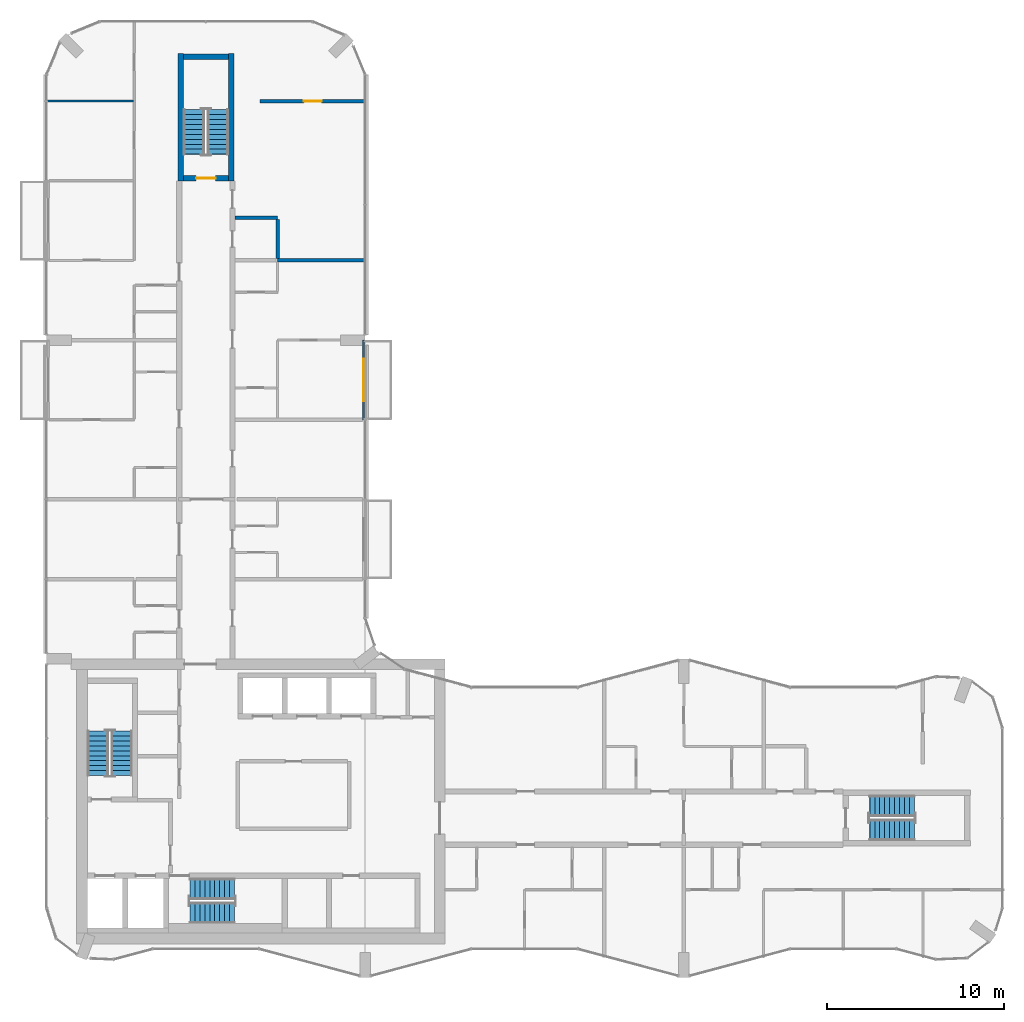
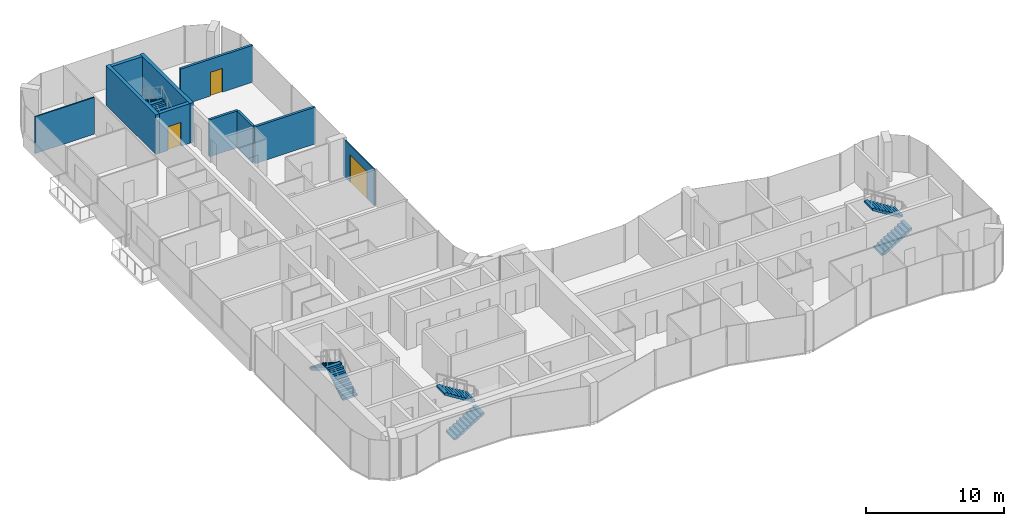
# One storey, part 13 of 15: 10 walls, 8 stair flights, 3 doors, 3 openings, 4 elements without a shape of their own.
"""IFC4 building model written with IfcOpenShell, lengths in metres."""

import ifcopenshell
import ifcopenshell.guid

model = None  # the IFC model being written
_history = None  # IfcOwnerHistory: only IFC2X3 demands one
_inside = {}  # id of a spatial element -> (the spatial element, [elements in it])
_under = {}  # id of a project, library or spatial element -> (it, [spatial elements below it])
_declared = {}  # id of a project -> (the project, [libraries it declares])
_typed = {}  # id of a type object -> (the type object, [elements of that type])
_made_of = {}  # id of a material, layer set ... -> (it, [elements and type objects made of it])


def new_model(schema):
    """Start an empty IFC model of exactly this schema.

    Asked for "IFC4X3", IfcOpenShell would pick the latest addendum, in which some entities
    have other attributes; the version numbers below select the first issue.
    IFC2X3 requires an IfcOwnerHistory on every rooted entity: one is made here for all.
    """
    global model, _history
    if schema == "IFC4X3":
        model = ifcopenshell.file(schema_version=(4, 3, 0, 0))
    else:
        model = ifcopenshell.file(schema=schema)
    _inside.clear()
    _under.clear()
    _declared.clear()
    _typed.clear()
    _made_of.clear()
    _history = None
    if model.schema == "IFC2X3":
        org = make("IfcOrganization", Name="unknown")
        user = make(
            "IfcPersonAndOrganization",
            ThePerson=make("IfcPerson", FamilyName="unknown"),
            TheOrganization=org,
        )
        app = make(
            "IfcApplication",
            ApplicationDeveloper=org,
            Version="unknown",
            ApplicationFullName="unknown",
            ApplicationIdentifier="unknown",
        )
        _history = make(
            "IfcOwnerHistory",
            OwningUser=user,
            OwningApplication=app,
            ChangeAction="ADDED",
            CreationDate=0,
        )
    return model


def make(cls, **values):
    """One entity of the class cls with the attributes given. An attribute that is None is left unset."""
    return model.create_entity(
        cls, **{name: value for name, value in values.items() if value is not None}
    )


def rooted(cls, **values):
    """An entity with a GlobalId (a new one), such as an element, a storey or a relation."""
    return make(cls, GlobalId=ifcopenshell.guid.new(), OwnerHistory=_history, **values)


def si_unit(unit_type, name, prefix=None):
    """IfcSIUnit, for example si_unit("LENGTHUNIT", "METRE", prefix="MILLI")."""
    return make("IfcSIUnit", UnitType=unit_type, Prefix=prefix, Name=name)


def assignment(units):
    """IfcUnitAssignment: the units of a project."""
    return None if units is None else make("IfcUnitAssignment", Units=units)


def point(xyz):
    """IfcCartesianPoint."""
    return None if xyz is None else make("IfcCartesianPoint", Coordinates=xyz)


def direction(xyz):
    """IfcDirection."""
    return None if xyz is None else make("IfcDirection", DirectionRatios=xyz)


def frame(location, z_axis=None, x_axis=None):
    """IfcAxis2Placement3D, a coordinate frame: its origin and axes. An axis left out is left unset."""
    return make(
        "IfcAxis2Placement3D",
        Location=point(location),
        Axis=direction(z_axis),
        RefDirection=direction(x_axis),
    )


def frame_2d(location, x_axis=None):
    """IfcAxis2Placement2D, a coordinate frame in the plane: its origin and x axis."""
    return make(
        "IfcAxis2Placement2D", Location=point(location), RefDirection=direction(x_axis)
    )


def origin():
    """The frame at (0, 0, 0) with its axes left unset."""
    return frame((0.0, 0.0, 0.0))


def place(relative_to, where):
    """IfcLocalPlacement: puts the frame where relative to a parent placement (None: the world)."""
    return make(
        "IfcLocalPlacement", PlacementRelTo=relative_to, RelativePlacement=where
    )


def context(
    kind, dimensions, precision=None, world=None, true_north=None, identifier=None
):
    """IfcGeometricRepresentationContext, for example the 3D "Model" context."""
    return make(
        "IfcGeometricRepresentationContext",
        ContextIdentifier=identifier,
        ContextType=kind,
        CoordinateSpaceDimension=dimensions,
        Precision=precision,
        WorldCoordinateSystem=world,
        TrueNorth=true_north,
    )


def subcontext(parent, identifier, kind, view, scale=None):
    """IfcGeometricRepresentationSubContext, for example "Body" below "Model"."""
    return make(
        "IfcGeometricRepresentationSubContext",
        ContextIdentifier=identifier,
        ContextType=kind,
        ParentContext=parent,
        TargetScale=scale,
        TargetView=view,
    )


def project(units=None, contexts=None):
    """IfcProject with its units and contexts."""
    return rooted(
        "IfcProject",
        Name="project",
        RepresentationContexts=contexts,
        UnitsInContext=assignment(units),
    )


def spatial(cls, under=None, at=None, **own):
    """A site, building, storey or space (cls), placed at a placement, below another one or the project."""
    s = rooted(cls, ObjectPlacement=at, **own)
    if under is not None:
        _under.setdefault(under.id(), (under, []))[1].append(s)
    return s


def polyline(points):
    """IfcPolyline through the points."""
    return make("IfcPolyline", Points=[point(p) for p in points])


def profile(cls, at=None, kind="AREA", **sizes):
    """A parametric profile (cls). Its sizes go by their IFC names, for example OverallWidth=200.0."""
    return make(cls, ProfileType=kind, Position=at, **sizes)


def rectangle(**sizes):
    """IfcRectangleProfileDef."""
    return profile("IfcRectangleProfileDef", **sizes)


def outline(outer, holes=None, kind="AREA"):
    """IfcArbitraryClosedProfileDef: a profile drawn as a closed curve; with holes, ...WithVoids."""
    if holes is None:
        return make("IfcArbitraryClosedProfileDef", ProfileType=kind, OuterCurve=outer)
    return make(
        "IfcArbitraryProfileDefWithVoids",
        ProfileType=kind,
        OuterCurve=outer,
        InnerCurves=holes,
    )


def extrude(swept, where, along, depth):
    """IfcExtrudedAreaSolid: the profile swept, set in the frame where, extruded along a direction by depth."""
    return make(
        "IfcExtrudedAreaSolid",
        SweptArea=swept,
        Position=where,
        ExtrudedDirection=direction(along),
        Depth=depth,
    )


def shape(context_of_items, identifier, shape_type, items):
    """IfcShapeRepresentation: the items that make up one representation, for example the "Body"."""
    return make(
        "IfcShapeRepresentation",
        ContextOfItems=context_of_items,
        RepresentationIdentifier=identifier,
        RepresentationType=shape_type,
        Items=items,
    )


def material(Name=None, Category=None):
    """IfcMaterial."""
    return make("IfcMaterial", Name=Name, Category=Category)


def layer(
    of_material, thickness, ventilated=None, Name=None, Category=None, Priority=None
):
    """IfcMaterialLayer: one layer of a wall or slab, of a material (None: an air gap)."""
    return make(
        "IfcMaterialLayer",
        Material=of_material,
        LayerThickness=thickness,
        IsVentilated=ventilated,
        Name=Name,
        Category=Category,
        Priority=Priority,
    )


def layer_set(layers, Name=None):
    """IfcMaterialLayerSet."""
    return make("IfcMaterialLayerSet", MaterialLayers=layers, LayerSetName=Name)


def made_of(thing, what):
    """Note that an element or type object is made of a material, layer set ...; save() writes the relation."""
    if what is not None:
        _made_of.setdefault(what.id(), (what, []))[1].append(thing)
    return thing


def type_object(cls, material=None, **own):
    """A type object (cls), such as IfcWallType, which elements share."""
    return made_of(rooted(cls, **own), material)


def element(
    cls,
    number,
    at=None,
    inside=None,
    cuts=None,
    type_object=None,
    material=None,
    context=None,
    identifier="Body",
    shape_type=None,
    held_by="IfcProductDefinitionShape",
    body=None,
    shapes=None,
    **own,
):
    """One element of the class cls, such as IfcWall. Its Tag is "e" and its number.

    at: its placement. inside: the storey or other place that contains it. cuts: it is an
    opening in that element (IfcRelVoidsElement). A single representation is given by context,
    identifier, shape_type and body (its items); several are given by shapes. held_by: the class
    of the entity that holds the representations. save() writes the other relations.
    """
    e = rooted(cls, Tag="e%d" % number, ObjectPlacement=at, **own)
    if body is not None:
        shapes = [shape(context, identifier, shape_type, body)]
    if shapes is not None:
        e.Representation = make(held_by, Representations=shapes)
    if inside is not None:
        _inside.setdefault(inside.id(), (inside, []))[1].append(e)
    if cuts is not None:
        rooted(
            "IfcRelVoidsElement", RelatingBuildingElement=cuts, RelatedOpeningElement=e
        )
    if type_object is not None:
        _typed.setdefault(type_object.id(), (type_object, []))[1].append(e)
    return made_of(e, material)


def fill(opening, filler):
    """IfcRelFillsElement: the door or window that sits in an opening."""
    return rooted(
        "IfcRelFillsElement",
        RelatingOpeningElement=opening,
        RelatedBuildingElement=filler,
    )


def aggregate(whole, parts):
    """IfcRelAggregates: a whole, such as a stair, and the parts it consists of."""
    return rooted("IfcRelAggregates", RelatingObject=whole, RelatedObjects=parts)


def save(model, path):
    """Write the relations noted so far, then the file.

    IfcRelAggregates (storeys below a building ...), IfcRelContainedInSpatialStructure (elements
    in a storey), IfcRelDefinesByType, IfcRelAssociatesMaterial and IfcRelDeclares: one each for
    every whole, place, type object, material and project.
    """
    for whole, parts in _under.values():
        aggregate(whole, parts)
    for where, things in _inside.values():
        rooted(
            "IfcRelContainedInSpatialStructure",
            RelatedElements=things,
            RelatingStructure=where,
        )
    for kind, things in _typed.values():
        rooted("IfcRelDefinesByType", RelatedObjects=things, RelatingType=kind)
    for what, things in _made_of.values():
        rooted("IfcRelAssociatesMaterial", RelatedObjects=things, RelatingMaterial=what)
    for by, libraries in _declared.values():
        rooted("IfcRelDeclares", RelatingContext=by, RelatedDefinitions=libraries)
    model.write(path)


model = new_model("IFC4")

# Units and contexts
model_context = context("Model", 3, precision=1e-05, world=origin(), true_north=direction((0.0, 1.0)))
body_context = subcontext(model_context, "Body", "Model", "MODEL_VIEW")
ifc_project = project(units=[si_unit("LENGTHUNIT", "METRE"), si_unit("AREAUNIT", "SQUARE_METRE"), si_unit("VOLUMEUNIT", "CUBIC_METRE"), si_unit("PLANEANGLEUNIT", "RADIAN"), si_unit("MASSUNIT", "GRAM", prefix="KILO")], contexts=[model_context])

# Site, building, storey
site_placement = place(None, origin())
site = spatial("IfcSite", under=ifc_project, at=site_placement, CompositionType="ELEMENT")
building_placement = place(site_placement, origin())
building = spatial("IfcBuilding", under=site, at=building_placement, Name="Plateau Cross Towers", CompositionType="ELEMENT")
storey_placement = place(building_placement, frame((0.0, 0.0, 156.89990234375)))
storey = spatial("IfcBuildingStorey", under=building, at=storey_placement, Name="L40", CompositionType="ELEMENT", Elevation=156.89990234375)

# Wall, opening, door
ifc_material_1 = material(Name="Aluminium framed glazing", Category="aluminium")
ifc_layer_1 = layer(ifc_material_1, 0.10009765625)
ifc_layer_set_1 = layer_set([ifc_layer_1], Name="Aluminium framed glazing")
wall_type_1 = type_object("IfcWallType", Name="Balcony screen wall 100", PredefinedType="STANDARD", material=ifc_layer_set_1)
wall_1_placement = place(storey_placement, frame((17.89990234375, 36.0, 0.0), z_axis=(0.0, 0.0, 1.0), x_axis=(0.0, -1.0, 0.0)))
wall_1 = element("IfcWall", 1, at=wall_1_placement, inside=storey, type_object=wall_type_1, Name="Balcony screen wall A-BAL-L40-04", PredefinedType="STANDARD", context=body_context, shape_type="SweptSolid", body=[
    extrude(rectangle(XDim=4.5, YDim=0.10009765625, at=frame_2d((2.25, 0.0))), origin(), (0.0, 0.0, 1.0), 3.25),
])
opening_1_placement = place(wall_1_placement, frame((1.050048828125, 0.0, 0.0)))
opening_1 = element("IfcOpeningElement", 2, at=opening_1_placement, cuts=wall_1, Name="Opening D-B24", PredefinedType="OPENING", context=body_context, shape_type="SweptSolid", body=[
    extrude(rectangle(XDim=2.39990234375, YDim=2.39990234375, at=frame_2d((1.199951171875, 1.199951171875))), frame((0.0, 0.06005859375, 0.0), z_axis=(0.0, -1.0, 0.0), x_axis=(1.0, 0.0, 0.0)), (0.0, 0.0, 1.0), 0.1201171875),
])
ifc_material_2 = material(Name="Aluminium frame, double glazing", Category="aluminium")
door_type_1 = type_object("IfcDoorType", Name="Balcony sliding door 2400", OperationType="NOTDEFINED", PredefinedType="DOOR", material=ifc_material_2)
door_1_placement = place(opening_1_placement, origin())
door_1 = element("IfcDoor", 3, at=door_1_placement, inside=storey, type_object=door_type_1, Name="Balcony door A-BAL-L40-04", OperationType="SINGLE_SWING_LEFT", OverallHeight=2.39990234375, OverallWidth=2.39990234375, PredefinedType="DOOR", context=body_context, shape_type="SweptSolid", body=[
    extrude(rectangle(XDim=2.39990234375, YDim=2.39990234375, at=frame_2d((1.199951171875, 1.199951171875))), frame((0.0, 0.02490234375, 0.0), z_axis=(0.0, -1.0, 0.0), x_axis=(1.0, 0.0, 0.0)), (0.0, 0.0, 1.0), 0.050048828125),
])
fill(opening_1, door_1)

# Walls
ifc_material_3 = material(Name="Gypsum board on steel studs", Category="steel")
ifc_layer_2 = layer(ifc_material_3, 0.10009765625)
ifc_layer_set_2 = layer_set([ifc_layer_2], Name="Gypsum board on steel studs")
wall_type_2 = type_object("IfcWallType", Name="Flat partition 100", PredefinedType="PARTITIONING", material=ifc_layer_set_2)
wall_2_placement = place(storey_placement, frame((4.89990234375, 49.5, 0.0), z_axis=(0.0, 0.0, 1.0), x_axis=(-1.0, 0.0, 0.0)))
element("IfcWall", 4, at=wall_2_placement, inside=storey, type_object=wall_type_2, Name="Partition wall", PredefinedType="PARTITIONING", context=body_context, shape_type="SweptSolid", body=[
    extrude(rectangle(XDim=4.97998046875, YDim=0.10009765625, at=frame_2d((2.489990234375, 0.0))), origin(), (0.0, 0.0, 1.0), 3.25),
])
ifc_material_4 = material(Name="Gypsum board on steel studs, two layers each side", Category="steel")
ifc_layer_3 = layer(ifc_material_4, 0.199951171875)
ifc_layer_set_3 = layer_set([ifc_layer_3], Name="Gypsum board on steel studs, two layers each side")
wall_type_3 = type_object("IfcWallType", Name="Flat party wall 200", PredefinedType="PARTITIONING", material=ifc_layer_set_3)
wall_3_placement = place(storey_placement, frame((13.050048828125, 40.5, 0.0), z_axis=(0.0, 0.0, 1.0), x_axis=(1.0, 0.0, 0.0)))
element("IfcWall", 5, at=wall_3_placement, inside=storey, type_object=wall_type_3, Name="Party wall", PredefinedType="PARTITIONING", context=body_context, shape_type="SweptSolid", body=[
    extrude(rectangle(XDim=5.030029296875, YDim=0.199951171875, at=frame_2d((2.51513671875, 0.0))), origin(), (0.0, 0.0, 1.0), 3.25),
])
wall_4_placement = place(storey_placement, frame((13.050048828125, 42.89990234375, 0.0), z_axis=(0.0, 0.0, 1.0), x_axis=(-1.0, 0.0, 0.0)))
element("IfcWall", 6, at=wall_4_placement, inside=storey, type_object=wall_type_3, Name="Party wall", PredefinedType="PARTITIONING", context=body_context, shape_type="SweptSolid", body=[
    extrude(rectangle(XDim=2.400146484375, YDim=0.199951171875, at=frame_2d((1.2001953125, 0.0))), origin(), (0.0, 0.0, 1.0), 3.25),
])

# Wall, opening, door
wall_5_placement = place(storey_placement, frame((18.080078125, 49.5, 0.0), z_axis=(0.0, 0.0, 1.0), x_axis=(-1.0, 0.0, 0.0)))
wall_5 = element("IfcWall", 7, at=wall_5_placement, inside=storey, type_object=wall_type_3, Name="Party wall", PredefinedType="PARTITIONING", context=body_context, shape_type="SweptSolid", body=[
    extrude(rectangle(XDim=6.030029296875, YDim=0.199951171875, at=frame_2d((3.01513671875, 0.0))), origin(), (0.0, 0.0, 1.0), 3.25),
])
opening_2_placement = place(wall_5_placement, frame((2.550048828125, 0.0, 0.0)))
opening_2 = element("IfcOpeningElement", 8, at=opening_2_placement, cuts=wall_5, Name="Opening 40-21", PredefinedType="OPENING", context=body_context, shape_type="SweptSolid", body=[
    extrude(rectangle(XDim=1.0, YDim=2.10009765625, at=frame_2d((0.5, 1.050048828125))), frame((0.0, 0.10986328125, 0.0), z_axis=(0.0, -1.0, 0.0), x_axis=(1.0, 0.0, 0.0)), (0.0, 0.0, 1.0), 0.219970703125),
])
ifc_material_5 = material(Name="Timber, fire-resisting leaf", Category="wood")
door_type_2 = type_object("IfcDoorType", Name="Flat entrance door 1000", OperationType="NOTDEFINED", PredefinedType="DOOR", material=ifc_material_5)
door_2_placement = place(opening_2_placement, origin())
door_2 = element("IfcDoor", 9, at=door_2_placement, inside=storey, type_object=door_type_2, Name="Door 40-21", OperationType="SINGLE_SWING_RIGHT", OverallHeight=2.10009765625, OverallWidth=1.0, PredefinedType="DOOR", context=body_context, shape_type="SweptSolid", body=[
    extrude(rectangle(XDim=1.0, YDim=2.10009765625, at=frame_2d((0.5, 1.050048828125))), frame((0.0, 0.02490234375, 0.0), z_axis=(0.0, -1.0, 0.0), x_axis=(1.0, 0.0, 0.0)), (0.0, 0.0, 1.0), 0.050048828125),
])
fill(opening_2, door_2)

# Wall
wall_6_placement = place(storey_placement, frame((13.050048828125, 40.60009765625, 0.0), z_axis=(0.0, 0.0, 1.0), x_axis=(0.0, 1.0, 0.0)))
element("IfcWall", 10, at=wall_6_placement, inside=storey, type_object=wall_type_3, Name="Party wall", PredefinedType="PARTITIONING", context=body_context, shape_type="SweptSolid", body=[
    extrude(rectangle(XDim=2.199951171875, YDim=0.199951171875, at=frame_2d((1.10009765625, 0.0))), origin(), (0.0, 0.0, 1.0), 3.25),
])

# Wall, opening, door
ifc_material_6 = material(Name="Concrete C60/75", Category="concrete")
ifc_layer_4 = layer(ifc_material_6, 0.300048828125)
ifc_layer_set_4 = layer_set([ifc_layer_4], Name="Concrete C60/75")
wall_type_4 = type_object("IfcWallType", Name="Stair tower wall 300", PredefinedType="SHEAR", material=ifc_layer_set_4)
wall_7_placement = place(storey_placement, frame((7.72509765625, 45.14990234375, 0.0), z_axis=(0.0, 0.0, 1.0), x_axis=(1.0, 0.0, 0.0)))
wall_7 = element("IfcWall", 11, at=wall_7_placement, inside=storey, type_object=wall_type_4, Name="A-end-N-S@L40", PredefinedType="SHEAR", context=body_context, shape_type="SweptSolid", body=[
    extrude(rectangle(XDim=2.5498046875, YDim=0.300048828125, at=frame_2d((1.27490234375, 0.0))), origin(), (0.0, 0.0, 1.0), 3.5),
])
opening_3_placement = place(wall_7_placement, frame((0.72509765625, 0.0, 0.0)))
opening_3 = element("IfcOpeningElement", 12, at=opening_3_placement, cuts=wall_7, Name="Opening SD", PredefinedType="OPENING", context=body_context, shape_type="SweptSolid", body=[
    extrude(rectangle(XDim=1.10009765625, YDim=2.10009765625, at=frame_2d((0.550048828125, 1.050048828125))), frame((0.0, 0.159912109375, 0.0), z_axis=(0.0, -1.0, 0.0), x_axis=(1.0, 0.0, 0.0)), (0.0, 0.0, 1.0), 0.320068359375),
])
ifc_material_7 = material(Name="Steel, fire-resisting leaf", Category="steel")
door_type_3 = type_object("IfcDoorType", Name="Stair door 1100", OperationType="NOTDEFINED", PredefinedType="DOOR", material=ifc_material_7)
door_3_placement = place(opening_3_placement, origin())
door_3 = element("IfcDoor", 13, at=door_3_placement, inside=storey, type_object=door_type_3, Name="Stair door SD", OperationType="SINGLE_SWING_LEFT", OverallHeight=2.10009765625, OverallWidth=1.10009765625, PredefinedType="DOOR", context=body_context, shape_type="SweptSolid", body=[
    extrude(rectangle(XDim=1.10009765625, YDim=2.10009765625, at=frame_2d((0.550048828125, 1.050048828125))), frame((0.0, 0.02490234375, 0.0), z_axis=(0.0, -1.0, 0.0), x_axis=(1.0, 0.0, 0.0)), (0.0, 0.0, 1.0), 0.050048828125),
])
fill(opening_3, door_3)

# Walls
wall_8_placement = place(storey_placement, frame((7.72509765625, 52.0, 0.0), z_axis=(0.0, 0.0, 1.0), x_axis=(1.0, 0.0, 0.0)))
element("IfcWall", 14, at=wall_8_placement, inside=storey, type_object=wall_type_4, Name="A-end-N-N@L40", PredefinedType="SHEAR", context=body_context, shape_type="SweptSolid", body=[
    extrude(rectangle(XDim=2.5498046875, YDim=0.300048828125, at=frame_2d((1.27490234375, 0.0))), origin(), (0.0, 0.0, 1.0), 3.5),
])
for number, where, z_axis, x_axis, name in (
    (15, (7.574951171875, 45.0, 0.0), (0.0, 0.0, 1.0), (0.0, 1.0, 0.0), "A-end-N-W@L40"),
    (16, (10.425048828125, 45.0, 0.0), (0.0, 0.0, 1.0), (0.0, 1.0, 0.0), "A-end-N-E@L40"),
):
    element("IfcWall", number, at=place(storey_placement, frame(where, z_axis=z_axis, x_axis=x_axis)), inside=storey, type_object=wall_type_4, Name=name, PredefinedType="SHEAR", context=body_context, shape_type="SweptSolid", body=[
        extrude(rectangle(XDim=7.199951171875, YDim=0.300048828125, at=frame_2d((3.60009765625, 0.0))), origin(), (0.0, 0.0, 1.0), 3.5),
    ])

# Stair, stair flights
ifc_material_8 = material(Name="Concrete C40/50", Category="concrete")
stair_type = type_object("IfcStairType", Name="ST-TWR", PredefinedType="HALF_TURN_STAIR", material=ifc_material_8)
stair_1_placement = place(storey_placement, origin())
stair_1 = element("IfcStair", 17, at=stair_1_placement, inside=storey, type_object=stair_type, Name="L40 Protected Exit Stair ST-1", PredefinedType="HALF_TURN_STAIR")
stair_flight_type = type_object("IfcStairFlightType", Name="SFL-RC", PredefinedType="STRAIGHT", material=ifc_material_8)
stair_flight_1_placement = place(storey_placement, frame((4.25, 11.39990234375, 0.0), z_axis=(0.0, 0.0, 1.0), x_axis=(0.0, 1.0, 0.0)))
stair_flight_1 = element("IfcStairFlight", 18, at=stair_flight_1_placement, type_object=stair_flight_type, Name="ST-1 flight 1", NumberOfRisers=10, NumberOfTreads=9, PredefinedType="STRAIGHT", RiserHeight=0.175, TreadLength=0.28, context=body_context, shape_type="SweptSolid", body=[
    extrude(outline(polyline([(-0.0048828125, -0.010009765625), (-0.0048828125, 0.0), (0.0, 0.0), (0.0, 0.175048828125), (0.280029296875, 0.175048828125), (0.280029296875, 0.35009765625), (0.56005859375, 0.35009765625), (0.56005859375, 0.52490234375), (0.840087890625, 0.52490234375), (0.840087890625, 0.699951171875), (1.1201171875, 0.699951171875), (1.1201171875, 0.875), (1.39990234375, 0.875), (1.39990234375, 1.050048828125), (1.679931640625, 1.050048828125), (1.679931640625, 1.22509765625), (1.9599609375, 1.22509765625), (1.9599609375, 1.39990234375), (2.239990234375, 1.39990234375), (2.239990234375, 1.574951171875), (2.52001953125, 1.574951171875), (2.52490234375, 1.56494140625), (2.52490234375, 1.398193359375), (2.52001953125, 1.398193359375), (0.28271484375, 0.0), (0.02001953125, 0.0), (0.02001953125, -0.010009765625), (-0.0048828125, -0.010009765625)])), frame((0.0, 0.60009765625, 0.0), z_axis=(0.0, -1.0, 0.0), x_axis=(1.0, 0.0, 0.0)), (0.0, 0.0, 1.0), 1.199951171875),
])
stair_flight_2_placement = place(storey_placement, frame((2.89990234375, 13.919921875, 1.75), z_axis=(0.0, 0.0, 1.0), x_axis=(0.0, -1.0, 0.0)))
stair_flight_2 = element("IfcStairFlight", 19, at=stair_flight_2_placement, type_object=stair_flight_type, Name="ST-1 flight 2", NumberOfRisers=10, NumberOfTreads=9, PredefinedType="STRAIGHT", RiserHeight=0.175, TreadLength=0.28, context=body_context, shape_type="SweptSolid", body=[
    extrude(outline(polyline([(-0.0048828125, -0.010009765625), (-0.0048828125, 0.0), (0.0, 0.0), (0.0, 0.175048828125), (0.280029296875, 0.175048828125), (0.280029296875, 0.35009765625), (0.56005859375, 0.35009765625), (0.56005859375, 0.52490234375), (0.840087890625, 0.52490234375), (0.840087890625, 0.699951171875), (1.1201171875, 0.699951171875), (1.1201171875, 0.875), (1.39990234375, 0.875), (1.39990234375, 1.050048828125), (1.679931640625, 1.050048828125), (1.679931640625, 1.22509765625), (1.9599609375, 1.22509765625), (1.9599609375, 1.39990234375), (2.239990234375, 1.39990234375), (2.239990234375, 1.574951171875), (2.52001953125, 1.574951171875), (2.52490234375, 1.56494140625), (2.52490234375, 1.398193359375), (2.52001953125, 1.398193359375), (0.28271484375, 0.0), (0.02001953125, 0.0), (0.02001953125, -0.010009765625), (-0.0048828125, -0.010009765625)])), frame((0.0, 0.60009765625, 0.0), z_axis=(0.0, -1.0, 0.0), x_axis=(1.0, 0.0, 0.0)), (0.0, 0.0, 1.0), 1.199951171875),
])
aggregate(stair_1, [stair_flight_1, stair_flight_2])

stair_2_placement = place(storey_placement, origin())
stair_2 = element("IfcStair", 20, at=stair_2_placement, inside=storey, type_object=stair_type, Name="L40 Protected Exit Stair ST-2", PredefinedType="HALF_TURN_STAIR")
stair_flight_3_placement = place(storey_placement, frame((8.10009765625, 3.64990234375, 0.0), z_axis=(0.0, 0.0, 1.0), x_axis=(1.0, 0.0, 0.0)))
stair_flight_3 = element("IfcStairFlight", 21, at=stair_flight_3_placement, type_object=stair_flight_type, Name="ST-2 flight 1", NumberOfRisers=10, NumberOfTreads=9, PredefinedType="STRAIGHT", RiserHeight=0.175, TreadLength=0.28, context=body_context, shape_type="SweptSolid", body=[
    extrude(outline(polyline([(-0.0048828125, -0.010009765625), (-0.0048828125, 0.0), (0.0, 0.0), (0.0, 0.175048828125), (0.280029296875, 0.175048828125), (0.280029296875, 0.35009765625), (0.56005859375, 0.35009765625), (0.56005859375, 0.52490234375), (0.840087890625, 0.52490234375), (0.840087890625, 0.699951171875), (1.1201171875, 0.699951171875), (1.1201171875, 0.875), (1.39990234375, 0.875), (1.39990234375, 1.050048828125), (1.679931640625, 1.050048828125), (1.679931640625, 1.22509765625), (1.9599609375, 1.22509765625), (1.9599609375, 1.39990234375), (2.239990234375, 1.39990234375), (2.239990234375, 1.574951171875), (2.52001953125, 1.574951171875), (2.52490234375, 1.56494140625), (2.52490234375, 1.398193359375), (2.52001953125, 1.398193359375), (0.28271484375, 0.0), (0.02001953125, 0.0), (0.02001953125, -0.010009765625), (-0.0048828125, -0.010009765625)])), frame((0.0, 0.60009765625, 0.0), z_axis=(0.0, -1.0, 0.0), x_axis=(1.0, 0.0, 0.0)), (0.0, 0.0, 1.0), 1.199951171875),
])
stair_flight_4_placement = place(storey_placement, frame((10.6201171875, 5.0, 1.75), z_axis=(0.0, 0.0, 1.0), x_axis=(-1.0, 0.0, 0.0)))
stair_flight_4 = element("IfcStairFlight", 22, at=stair_flight_4_placement, type_object=stair_flight_type, Name="ST-2 flight 2", NumberOfRisers=10, NumberOfTreads=9, PredefinedType="STRAIGHT", RiserHeight=0.175, TreadLength=0.28, context=body_context, shape_type="SweptSolid", body=[
    extrude(outline(polyline([(-0.0048828125, -0.010009765625), (-0.0048828125, 0.0), (0.0, 0.0), (0.0, 0.175048828125), (0.280029296875, 0.175048828125), (0.280029296875, 0.35009765625), (0.56005859375, 0.35009765625), (0.56005859375, 0.52490234375), (0.840087890625, 0.52490234375), (0.840087890625, 0.699951171875), (1.1201171875, 0.699951171875), (1.1201171875, 0.875), (1.39990234375, 0.875), (1.39990234375, 1.050048828125), (1.679931640625, 1.050048828125), (1.679931640625, 1.22509765625), (1.9599609375, 1.22509765625), (1.9599609375, 1.39990234375), (2.239990234375, 1.39990234375), (2.239990234375, 1.574951171875), (2.52001953125, 1.574951171875), (2.52490234375, 1.56494140625), (2.52490234375, 1.398193359375), (2.52001953125, 1.398193359375), (0.28271484375, 0.0), (0.02001953125, 0.0), (0.02001953125, -0.010009765625), (-0.0048828125, -0.010009765625)])), frame((0.0, 0.60009765625, 0.0), z_axis=(0.0, -1.0, 0.0), x_axis=(1.0, 0.0, 0.0)), (0.0, 0.0, 1.0), 1.199951171875),
])
aggregate(stair_2, [stair_flight_3, stair_flight_4])

stair_3_placement = place(storey_placement, origin())
stair_3 = element("IfcStair", 23, at=stair_3_placement, inside=storey, type_object=stair_type, Name="L40 Protected Exit Stair E", PredefinedType="HALF_TURN_STAIR")
stair_flight_5_placement = place(storey_placement, frame((46.5, 8.324951171875, 0.0), z_axis=(0.0, 0.0, 1.0), x_axis=(1.0, 0.0, 0.0)))
stair_flight_5 = element("IfcStairFlight", 24, at=stair_flight_5_placement, type_object=stair_flight_type, Name="ES-E flight 1", NumberOfRisers=10, NumberOfTreads=9, PredefinedType="STRAIGHT", RiserHeight=0.175, TreadLength=0.28, context=body_context, shape_type="SweptSolid", body=[
    extrude(outline(polyline([(-0.0048828125, -0.010009765625), (-0.0048828125, 0.0), (0.0, 0.0), (0.0, 0.175048828125), (0.280029296875, 0.175048828125), (0.280029296875, 0.35009765625), (0.56005859375, 0.35009765625), (0.56005859375, 0.52490234375), (0.840087890625, 0.52490234375), (0.840087890625, 0.699951171875), (1.1201171875, 0.699951171875), (1.1201171875, 0.875), (1.39990234375, 0.875), (1.39990234375, 1.050048828125), (1.679931640625, 1.050048828125), (1.679931640625, 1.22509765625), (1.9599609375, 1.22509765625), (1.9599609375, 1.39990234375), (2.239990234375, 1.39990234375), (2.239990234375, 1.574951171875), (2.52001953125, 1.574951171875), (2.52490234375, 1.56494140625), (2.52490234375, 1.398193359375), (2.52001953125, 1.398193359375), (0.28271484375, 0.0), (0.02001953125, 0.0), (0.02001953125, -0.010009765625), (-0.0048828125, -0.010009765625)])), frame((0.0, 0.60009765625, 0.0), z_axis=(0.0, -1.0, 0.0), x_axis=(1.0, 0.0, 0.0)), (0.0, 0.0, 1.0), 1.199951171875),
])
stair_flight_6_placement = place(storey_placement, frame((49.02001953125, 9.675048828125, 1.75), z_axis=(0.0, 0.0, 1.0), x_axis=(-1.0, 0.0, 0.0)))
stair_flight_6 = element("IfcStairFlight", 25, at=stair_flight_6_placement, type_object=stair_flight_type, Name="ES-E flight 2", NumberOfRisers=10, NumberOfTreads=9, PredefinedType="STRAIGHT", RiserHeight=0.175, TreadLength=0.28, context=body_context, shape_type="SweptSolid", body=[
    extrude(outline(polyline([(-0.0048828125, -0.010009765625), (-0.0048828125, 0.0), (0.0, 0.0), (0.0, 0.175048828125), (0.280029296875, 0.175048828125), (0.280029296875, 0.35009765625), (0.56005859375, 0.35009765625), (0.56005859375, 0.52490234375), (0.840087890625, 0.52490234375), (0.840087890625, 0.699951171875), (1.1201171875, 0.699951171875), (1.1201171875, 0.875), (1.39990234375, 0.875), (1.39990234375, 1.050048828125), (1.679931640625, 1.050048828125), (1.679931640625, 1.22509765625), (1.9599609375, 1.22509765625), (1.9599609375, 1.39990234375), (2.239990234375, 1.39990234375), (2.239990234375, 1.574951171875), (2.52001953125, 1.574951171875), (2.52490234375, 1.56494140625), (2.52490234375, 1.398193359375), (2.52001953125, 1.398193359375), (0.28271484375, 0.0), (0.02001953125, 0.0), (0.02001953125, -0.010009765625), (-0.0048828125, -0.010009765625)])), frame((0.0, 0.60009765625, 0.0), z_axis=(0.0, -1.0, 0.0), x_axis=(1.0, 0.0, 0.0)), (0.0, 0.0, 1.0), 1.199951171875),
])
aggregate(stair_3, [stair_flight_5, stair_flight_6])

stair_4_placement = place(storey_placement, origin())
stair_4 = element("IfcStair", 26, at=stair_4_placement, inside=storey, type_object=stair_type, Name="L40 Protected Exit Stair N", PredefinedType="HALF_TURN_STAIR")
stair_flight_7_placement = place(storey_placement, frame((9.675048828125, 46.5, 0.0), z_axis=(0.0, 0.0, 1.0), x_axis=(0.0, 1.0, 0.0)))
stair_flight_7 = element("IfcStairFlight", 27, at=stair_flight_7_placement, type_object=stair_flight_type, Name="ES-N flight 1", NumberOfRisers=10, NumberOfTreads=9, PredefinedType="STRAIGHT", RiserHeight=0.175, TreadLength=0.28, context=body_context, shape_type="SweptSolid", body=[
    extrude(outline(polyline([(-0.0048828125, -0.010009765625), (-0.0048828125, 0.0), (0.0, 0.0), (0.0, 0.175048828125), (0.280029296875, 0.175048828125), (0.280029296875, 0.35009765625), (0.56005859375, 0.35009765625), (0.56005859375, 0.52490234375), (0.840087890625, 0.52490234375), (0.840087890625, 0.699951171875), (1.1201171875, 0.699951171875), (1.1201171875, 0.875), (1.39990234375, 0.875), (1.39990234375, 1.050048828125), (1.679931640625, 1.050048828125), (1.679931640625, 1.22509765625), (1.9599609375, 1.22509765625), (1.9599609375, 1.39990234375), (2.239990234375, 1.39990234375), (2.239990234375, 1.574951171875), (2.52001953125, 1.574951171875), (2.52490234375, 1.56494140625), (2.52490234375, 1.398193359375), (2.52001953125, 1.398193359375), (0.28271484375, 0.0), (0.02001953125, 0.0), (0.02001953125, -0.010009765625), (-0.0048828125, -0.010009765625)])), frame((0.0, 0.60009765625, 0.0), z_axis=(0.0, -1.0, 0.0), x_axis=(1.0, 0.0, 0.0)), (0.0, 0.0, 1.0), 1.199951171875),
])
stair_flight_8_placement = place(storey_placement, frame((8.324951171875, 49.02001953125, 1.75), z_axis=(0.0, 0.0, 1.0), x_axis=(0.0, -1.0, 0.0)))
stair_flight_8 = element("IfcStairFlight", 28, at=stair_flight_8_placement, type_object=stair_flight_type, Name="ES-N flight 2", NumberOfRisers=10, NumberOfTreads=9, PredefinedType="STRAIGHT", RiserHeight=0.175, TreadLength=0.28, context=body_context, shape_type="SweptSolid", body=[
    extrude(outline(polyline([(-0.0048828125, -0.010009765625), (-0.0048828125, 0.0), (0.0, 0.0), (0.0, 0.175048828125), (0.280029296875, 0.175048828125), (0.280029296875, 0.35009765625), (0.56005859375, 0.35009765625), (0.56005859375, 0.52490234375), (0.840087890625, 0.52490234375), (0.840087890625, 0.699951171875), (1.1201171875, 0.699951171875), (1.1201171875, 0.875), (1.39990234375, 0.875), (1.39990234375, 1.050048828125), (1.679931640625, 1.050048828125), (1.679931640625, 1.22509765625), (1.9599609375, 1.22509765625), (1.9599609375, 1.39990234375), (2.239990234375, 1.39990234375), (2.239990234375, 1.574951171875), (2.52001953125, 1.574951171875), (2.52490234375, 1.56494140625), (2.52490234375, 1.398193359375), (2.52001953125, 1.398193359375), (0.28271484375, 0.0), (0.02001953125, 0.0), (0.02001953125, -0.010009765625), (-0.0048828125, -0.010009765625)])), frame((0.0, 0.60009765625, 0.0), z_axis=(0.0, -1.0, 0.0), x_axis=(1.0, 0.0, 0.0)), (0.0, 0.0, 1.0), 1.199951171875),
])
aggregate(stair_4, [stair_flight_7, stair_flight_8])

save(model, "model.ifc")
